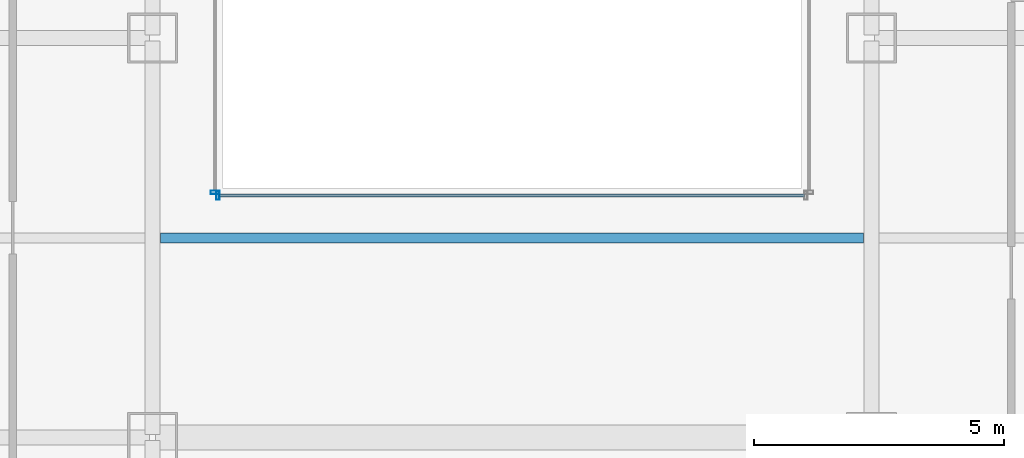
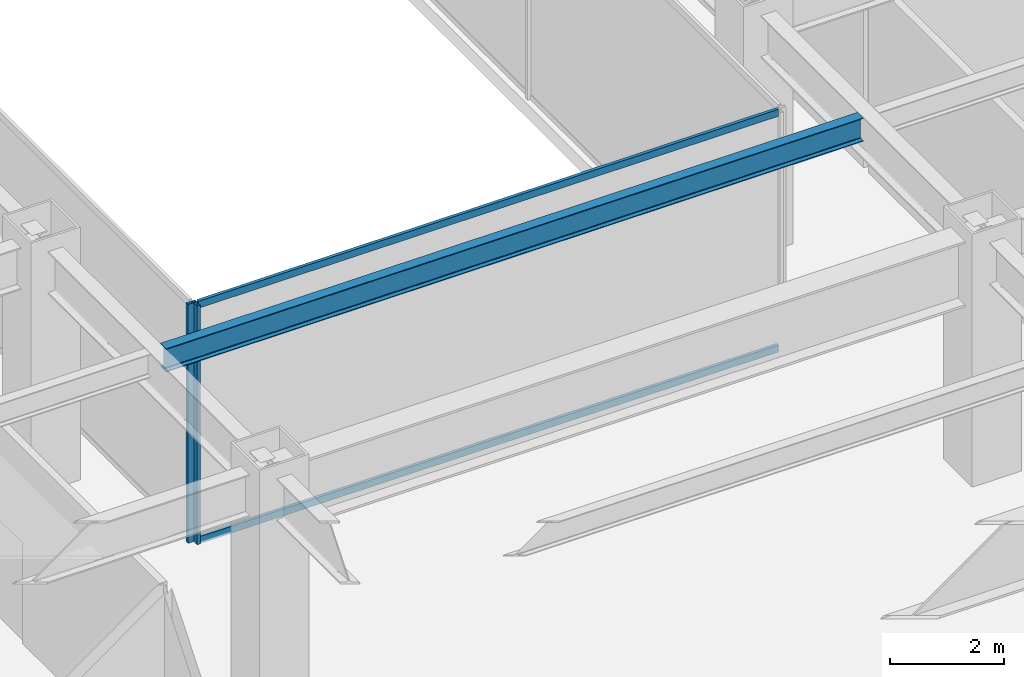
# One storey, part 12 of 52: 4 members, 1 beam, 2 elements without a shape of their own.
"""IFC4 building model written with IfcOpenShell, lengths in metres."""

from ifc_helpers import new_model, si_unit, direction, frame, origin, origin_2d, place, context, subcontext, project, spatial, hollow_rectangle, i_section, extrude, material, material_profile, profile_set, type_object, element, aggregate, save


model = new_model("IFC4")

# Units and contexts
model_context = context("Model", 3, precision=1e-05, world=origin(), true_north=direction((0.0, 1.0)))
body_context = subcontext(model_context, "Body", "Model", "MODEL_VIEW")
ifc_project = project(units=[si_unit("LENGTHUNIT", "METRE"), si_unit("AREAUNIT", "SQUARE_METRE"), si_unit("VOLUMEUNIT", "CUBIC_METRE"), si_unit("PLANEANGLEUNIT", "RADIAN"), si_unit("MASSUNIT", "GRAM", prefix="KILO")], contexts=[model_context])

# Site, building, storey
site_placement = place(None, origin())
site = spatial("IfcSite", under=ifc_project, at=site_placement, CompositionType="ELEMENT")
building_placement = place(site_placement, origin())
building = spatial("IfcBuilding", under=site, at=building_placement, Name="Saevonmaru Cultural Tower", CompositionType="ELEMENT")
storey_placement = place(building_placement, frame((0.0, 0.0, 16.800048828125)))
storey = spatial("IfcBuildingStorey", under=building, at=storey_placement, Name="L03", CompositionType="ELEMENT", Elevation=16.800048828125)

# Beam
ifc_material_1 = material(Name="Steel SM355", Category="steel")
ifc_material_profile_1 = material_profile(ifc_material_1, i_section(OverallWidth=0.199951171875, OverallDepth=0.5, WebThickness=0.010009765625, FlangeThickness=0.01611328125, FilletRadius=0.02001953125, at=origin_2d()), Name="H-500x200x10x16")
ifc_profile_set_1 = profile_set([ifc_material_profile_1], Name="Steel SM355")
beam_type = type_object("IfcBeamType", Name="BM-J-H500", PredefinedType="JOIST", material=ifc_profile_set_1)
beam_placement = place(storey_placement, frame((22.9580078125, 20.0, 4.849853515625), z_axis=(1.0, 0.0, 0.0), x_axis=(0.0, 1.0, 0.0)))
element("IfcBeam", 1, at=beam_placement, inside=storey, type_object=beam_type, Name="L03 Secondary Floor Joist JC-2", PredefinedType="JOIST", context=body_context, shape_type="SweptSolid", body=[
    extrude(i_section(OverallWidth=0.199951171875, OverallDepth=0.5, WebThickness=0.010009765625, FlangeThickness=0.01611328125, FilletRadius=0.02001953125, at=origin_2d()), origin(), (0.0, 0.0, 1.0), 14.083984375),
])

# Curtain wall, member
ifc_material_2 = material(Name="Satin Bronze Anodised Aluminium", Category="aluminium")
curtain_wall_type = type_object("IfcCurtainWallType", Name="CW-ATR-GLZ", PredefinedType="NOTDEFINED", material=ifc_material_2)
curtain_wall_1_placement = place(storey_placement, origin())
curtain_wall_1 = element("IfcCurtainWall", 2, at=curtain_wall_1_placement, inside=storey, type_object=curtain_wall_type, Name="L03 Vertical Atrium Glazed Smoke Screen 1", PredefinedType="NOTDEFINED")
ifc_material_profile_2 = material_profile(ifc_material_2, hollow_rectangle(XDim=0.06494140625, YDim=0.179931640625, WallThickness=0.00390625, at=origin_2d()), Name="ALU-MULL-180x65x4")
ifc_profile_set_2 = profile_set([ifc_material_profile_2], Name="Satin Bronze Anodised Aluminium")
member_type_1 = type_object("IfcMemberType", Name="ML-CW-INT-180x65", PredefinedType="MULLION", material=ifc_profile_set_2)
member_1_placement = place(storey_placement, frame((24.110107421875, 20.85009765625, 0.0), z_axis=(0.0, 0.0, 1.0), x_axis=(1.0, 0.0, 0.0)))
member_1 = element("IfcMember", 3, at=member_1_placement, type_object=member_type_1, Name="CW-ATR-L03-1 mullion 1", PredefinedType="MULLION", context=body_context, shape_type="SweptSolid", body=[
    extrude(hollow_rectangle(XDim=0.06494140625, YDim=0.179931640625, WallThickness=0.00390625, at=origin_2d()), origin(), (0.0, 0.0, 1.0), 5.099853515625),
])

curtain_wall_2_placement = place(storey_placement, origin())
curtain_wall_2 = element("IfcCurtainWall", 4, at=curtain_wall_2_placement, inside=storey, type_object=curtain_wall_type, Name="L03 Vertical Atrium Glazed Smoke Screen 4", PredefinedType="NOTDEFINED")
member_2_placement = place(storey_placement, frame((24.050048828125, 20.909912109375, 0.0), z_axis=(0.0, 0.0, 1.0), x_axis=(0.0, -1.0, 0.0)))
member_2 = element("IfcMember", 5, at=member_2_placement, type_object=member_type_1, Name="CW-ATR-L03-4 mullion 3", PredefinedType="MULLION", context=body_context, shape_type="SweptSolid", body=[
    extrude(hollow_rectangle(XDim=0.06494140625, YDim=0.179931640625, WallThickness=0.00390625, at=origin_2d()), origin(), (0.0, 0.0, 1.0), 5.099853515625),
])
aggregate(curtain_wall_2, [member_2])

# Member
ifc_material_profile_3 = material_profile(ifc_material_2, hollow_rectangle(XDim=0.06494140625, YDim=0.14990234375, WallThickness=0.00390625, at=origin_2d()), Name="ALU-TRAN-150x65x4")
ifc_profile_set_3 = profile_set([ifc_material_profile_3], Name="Satin Bronze Anodised Aluminium")
member_type_2 = type_object("IfcMemberType", Name="TR-CW-INT-150x65", PredefinedType="USERDEFINED", material=ifc_profile_set_3)
member_3_placement = place(storey_placement, frame((24.142578125, 20.85009765625, 0.032470703125), z_axis=(1.0, 0.0, 0.0), x_axis=(0.0, 1.0, 0.0)))
member_3 = element("IfcMember", 6, at=member_3_placement, type_object=member_type_2, Name="CW-ATR-L03-1 transom 1.1", ObjectType="TRANSOM", PredefinedType="USERDEFINED", context=body_context, shape_type="SweptSolid", body=[
    extrude(hollow_rectangle(XDim=0.06494140625, YDim=0.14990234375, WallThickness=0.00390625, at=origin_2d()), origin(), (0.0, 0.0, 1.0), 11.71484375),
])

member_4_placement = place(storey_placement, frame((24.142578125, 20.85009765625, 5.0673828125), z_axis=(1.0, 0.0, 0.0), x_axis=(0.0, 1.0, 0.0)))
member_4 = element("IfcMember", 7, at=member_4_placement, type_object=member_type_2, Name="CW-ATR-L03-1 transom 1.2", ObjectType="TRANSOM", PredefinedType="USERDEFINED", context=body_context, shape_type="SweptSolid", body=[
    extrude(hollow_rectangle(XDim=0.06494140625, YDim=0.14990234375, WallThickness=0.00390625, at=origin_2d()), origin(), (0.0, 0.0, 1.0), 11.71484375),
])

aggregate(curtain_wall_1, [member_1, member_3, member_4])

save(model, "model.ifc")
